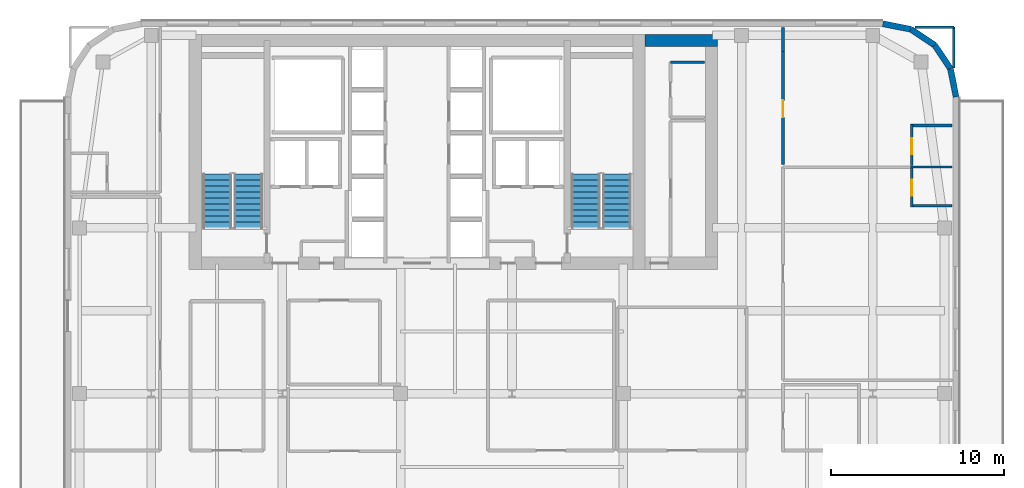
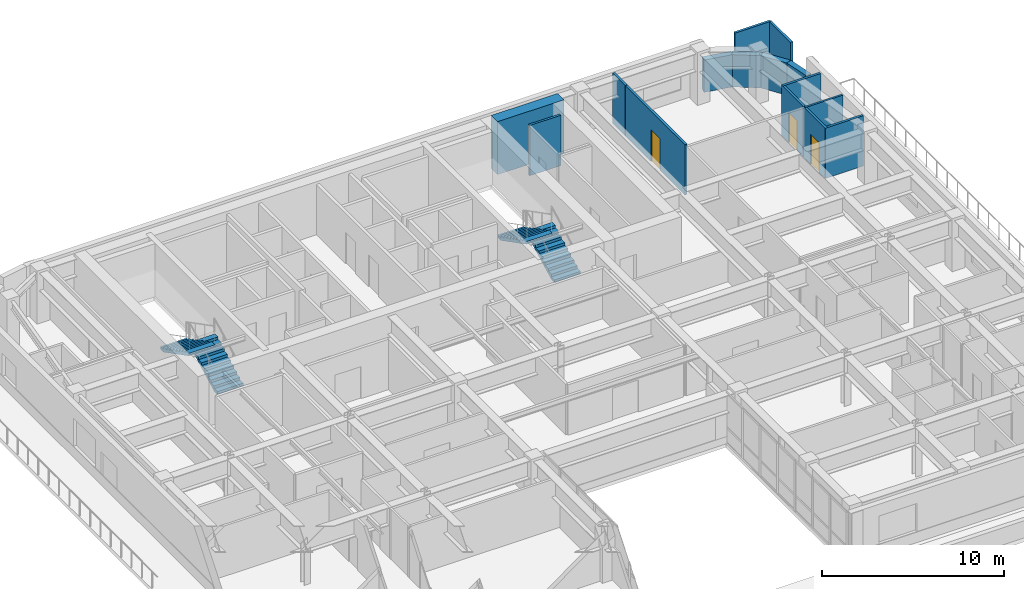
# One storey, part 15 of 20: 15 walls, 4 stair flights, 3 doors, 3 openings, 2 elements without a shape of their own.
"""IFC4 building model written with IfcOpenShell, lengths in metres."""

from ifc_helpers import new_model, si_unit, direction, frame, frame_2d, origin, place, context, subcontext, project, spatial, polyline, rectangle, outline, extrude, source, transform, mapped, material, layer, layer_set, type_object, type_shapes, element, fill, aggregate, save


model = new_model("IFC4")

# Units and contexts
model_context = context("Model", 3, precision=1e-05, world=origin(), true_north=direction((0.0, 1.0)))
body_context = subcontext(model_context, "Body", "Model", "MODEL_VIEW")
ifc_project = project(units=[si_unit("LENGTHUNIT", "METRE"), si_unit("AREAUNIT", "SQUARE_METRE"), si_unit("VOLUMEUNIT", "CUBIC_METRE"), si_unit("PLANEANGLEUNIT", "RADIAN"), si_unit("MASSUNIT", "GRAM", prefix="KILO")], contexts=[model_context])

# Site, building, storey
site_placement = place(None, origin())
site = spatial("IfcSite", under=ifc_project, at=site_placement, CompositionType="ELEMENT")
building_placement = place(site_placement, origin())
building = spatial("IfcBuilding", under=site, at=building_placement, Name="Tolvann Quenvar Hotel", CompositionType="ELEMENT")
storey_placement = place(building_placement, frame((0.0, 0.0, 147.050048828125)))
storey = spatial("IfcBuildingStorey", under=building, at=storey_placement, Name="L38", CompositionType="ELEMENT", Elevation=147.050048828125)

# Walls
ifc_material_1 = material(Name="Concrete S65 (65 MPa)", Category="concrete")
ifc_layer_1 = layer(ifc_material_1, 0.699951171875)
ifc_layer_set_1 = layer_set([ifc_layer_1], Name="Concrete S65 (65 MPa)")
wall_type_1 = type_object("IfcWallType", Name="WALL_CORE_700", PredefinedType="SHEAR", material=ifc_layer_set_1)
wall_1_placement = place(storey_placement, frame((36.199951171875, 44.85009765625, 0.0), z_axis=(0.0, 0.0, 1.0), x_axis=(1.0, 0.0, 0.0)))
element("IfcWall", 1, at=wall_1_placement, inside=storey, type_object=wall_type_1, Name="Core East Annex Shear Wall ANN-N (L38)", PredefinedType="SHEAR", context=body_context, shape_type="SweptSolid", body=[
    extrude(rectangle(XDim=4.199951171875, YDim=0.699951171875, at=frame_2d((2.10009765625, 0.0))), origin(), (0.0, 0.0, 1.0), 3.550048828125),
])
ifc_material_2 = material(Name="Kiln-fired red and buff architectural clay brickwork and terracotta masonry", Category="masonry")
ifc_layer_2 = layer(ifc_material_2, 0.35009765625)
ifc_layer_set_2 = layer_set([ifc_layer_2], Name="Kiln-fired red and buff architectural clay brickwork and terracotta masonry")
wall_type_2 = type_object("IfcWallType", Name="WALL_EXT_BRICK_350", PredefinedType="SOLIDWALL", material=ifc_layer_set_2)
wall_2_placement = place(storey_placement, frame((54.22509765625, 41.582763671875, 0.0), z_axis=(0.0, 0.0, 1.0), x_axis=(-0.195044345786, 0.980794424524, 0.0)))
element("IfcWall", 2, at=wall_2_placement, inside=storey, type_object=wall_type_2, Name="Exterior Chicago Brick Wall L38-E14", PredefinedType="SOLIDWALL", context=body_context, shape_type="SweptSolid", body=[
    extrude(rectangle(XDim=1.664794921875, YDim=0.35009765625, at=frame_2d((0.83251953125, 0.0))), origin(), (0.0, 0.0, 1.0), 2.159912109375),
])
for number, where, z_axis, x_axis, name in (
    (3, (53.900390625, 43.215576171875, 0.0), (0.0, 0.0, 1.0), (-0.555623290322, 0.831434158098, 0.0), "Exterior Chicago Brick Wall L38-E15"),
    (4, (52.985107421875, 44.585205078125, 0.0), (0.0, 0.0, 1.0), (-0.831502623162, 0.555520825599, 0.0), "Exterior Chicago Brick Wall L38-E16"),
):
    element("IfcWall", number, at=place(storey_placement, frame(where, z_axis=z_axis, x_axis=x_axis)), inside=storey, type_object=wall_type_2, Name=name, PredefinedType="SOLIDWALL", context=body_context, shape_type="SweptSolid", body=[
        extrude(rectangle(XDim=1.647216796875, YDim=0.35009765625, at=frame_2d((0.82373046875, 0.0))), origin(), (0.0, 0.0, 1.0), 2.159912109375),
    ])
wall_3_placement = place(storey_placement, frame((51.615478515625, 45.500244140625, 0.0), z_axis=(0.0, 0.0, 1.0), x_axis=(-0.980788844421, 0.195072403631, 0.0)))
element("IfcWall", 5, at=wall_3_placement, inside=storey, type_object=wall_type_2, Name="Exterior Chicago Brick Wall L38-E17", PredefinedType="SOLIDWALL", context=body_context, shape_type="SweptSolid", body=[
    extrude(rectangle(XDim=1.66455078125, YDim=0.35009765625, at=frame_2d((0.832275390625, 0.0))), origin(), (0.0, 0.0, 1.0), 2.159912109375),
])
ifc_material_3 = material(Name="Moisture-resistant acoustic plumbing wall assembly")
ifc_layer_3 = layer(ifc_material_3, 0.1201171875)
ifc_layer_set_3 = layer_set([ifc_layer_3], Name="Moisture-resistant acoustic plumbing wall assembly")
wall_type_3 = type_object("IfcWallType", Name="WALL_PART_BATH_120", PredefinedType="PLUMBINGWALL", material=ifc_layer_set_3)
wall_4_placement = place(storey_placement, frame((51.580078125, 37.52001953125, 0.0), z_axis=(0.0, 0.0, 1.0), x_axis=(1.0, 0.0, 0.0)))
element("IfcWall", 6, at=wall_4_placement, inside=storey, type_object=wall_type_3, Name="Non-Rated Plumbing Partition PT-SPC-L38-ENS-NE01-N", PredefinedType="PLUMBINGWALL", context=body_context, shape_type="SweptSolid", body=[
    extrude(rectangle(XDim=2.4150390625, YDim=0.1201171875, at=frame_2d((1.20751953125, 0.0))), origin(), (0.0, 0.0, 1.0), 3.369873046875),
])

# Wall, opening, door
ifc_material_4 = material(Name="Acoustic twin-stud fire-rated gypsum plasterboard partition")
ifc_layer_4 = layer(ifc_material_4, 0.14990234375)
ifc_layer_set_4 = layer_set([ifc_layer_4], Name="Acoustic twin-stud fire-rated gypsum plasterboard partition")
wall_type_4 = type_object("IfcWallType", Name="WALL_PART_SUITE_150", PredefinedType="PARTITIONING", material=ifc_layer_set_4)
wall_5_placement = place(storey_placement, frame((51.64990234375, 35.199951171875, 0.0), z_axis=(0.0, 0.0, 1.0), x_axis=(0.0, 1.0, 0.0)))
wall_5 = element("IfcWall", 7, at=wall_5_placement, inside=storey, type_object=wall_type_4, Name="Interior Partition PT-SPC-L38-ENS-NE01-ENT", PredefinedType="PARTITIONING", context=body_context, shape_type="SweptSolid", body=[
    extrude(rectangle(XDim=2.39013671875, YDim=0.14990234375, at=frame_2d((1.195068359375, 0.0))), origin(), (0.0, 0.0, 1.0), 3.369873046875),
])
opening_1_placement = place(wall_5_placement, frame((0.6650390625, 0.0, 0.0)))
opening_1 = element("IfcOpeningElement", 8, at=opening_1_placement, cuts=wall_5, Name="Opening WD-01", PredefinedType="OPENING", context=body_context, shape_type="SweptSolid", body=[
    extrude(rectangle(XDim=0.919921875, YDim=2.010009765625, at=frame_2d((0.4599609375, 1.0048828125))), frame((0.0, 0.0849609375, 0.0), z_axis=(0.0, -1.0, 0.0), x_axis=(1.0, 0.0, 0.0)), (0.0, 0.0, 1.0), 0.169921875),
])
ifc_material_5 = material(Name="Solid-core American oak acoustic fire door leaf in steel frame", Category="steel")
door_type_1 = type_object("IfcDoorType", Name="DOOR_WC_920", OperationType="NOTDEFINED", PredefinedType="DOOR", material=ifc_material_5)
shared_shape_1 = source(origin(), body_context, "Body", "SweptSolid", [
    extrude(rectangle(XDim=0.919921875, YDim=2.010009765625, at=frame_2d((0.4599609375, 1.0048828125))), frame((0.0, 0.02490234375, 0.0), z_axis=(0.0, -1.0, 0.0), x_axis=(1.0, 0.0, 0.0)), (0.0, 0.0, 1.0), 0.050048828125),
])
type_shapes(door_type_1, [shared_shape_1])
door_1_placement = place(opening_1_placement, origin())
door_1 = element("IfcDoor", 9, at=door_1_placement, inside=storey, type_object=door_type_1, Name="Interior Door DOOR-SPC-L38-ENS-NE01", OperationType="SINGLE_SWING_RIGHT", OverallHeight=2.010009765625, OverallWidth=0.919921875, PredefinedType="DOOR", context=body_context, shape_type="MappedRepresentation", body=[
    mapped(shared_shape_1, transform((0.0, 0.0, 0.0), x_axis=(1.0, 0.0, 0.0), y_axis=(0.0, 1.0, 0.0), z_axis=(0.0, 0.0, 1.0), scale=1.0)),
])
fill(opening_1, door_1)

# Wall
wall_6_placement = place(storey_placement, frame((51.580078125, 35.27001953125, 0.0), z_axis=(0.0, 0.0, 1.0), x_axis=(1.0, 0.0, 0.0)))
element("IfcWall", 10, at=wall_6_placement, inside=storey, type_object=wall_type_4, Name="Interior Partition PT-SPC-L38-ENS-NE01-S", PredefinedType="PARTITIONING", context=body_context, shape_type="SweptSolid", body=[
    extrude(rectangle(XDim=2.4150390625, YDim=0.14990234375, at=frame_2d((1.20751953125, 0.0))), origin(), (0.0, 0.0, 1.0), 3.369873046875),
])

# Wall, opening, door
wall_7_placement = place(storey_placement, frame((51.64990234375, 37.610107421875, 0.0), z_axis=(0.0, 0.0, 1.0), x_axis=(0.0, 1.0, 0.0)))
wall_7 = element("IfcWall", 11, at=wall_7_placement, inside=storey, type_object=wall_type_4, Name="Interior Partition PT-SPC-L38-ENS-NE02-ENT", PredefinedType="PARTITIONING", context=body_context, shape_type="SweptSolid", body=[
    extrude(rectangle(XDim=2.389892578125, YDim=0.14990234375, at=frame_2d((1.19482421875, 0.0))), origin(), (0.0, 0.0, 1.0), 3.369873046875),
])
opening_2_placement = place(wall_7_placement, frame((0.6650390625, 0.0, 0.0)))
opening_2 = element("IfcOpeningElement", 12, at=opening_2_placement, cuts=wall_7, Name="Opening WD-01", PredefinedType="OPENING", context=body_context, shape_type="SweptSolid", body=[
    extrude(rectangle(XDim=0.919921875, YDim=2.010009765625, at=frame_2d((0.4599609375, 1.0048828125))), frame((0.0, 0.0849609375, 0.0), z_axis=(0.0, -1.0, 0.0), x_axis=(1.0, 0.0, 0.0)), (0.0, 0.0, 1.0), 0.169921875),
])
door_2_placement = place(opening_2_placement, origin())
door_2 = element("IfcDoor", 13, at=door_2_placement, inside=storey, type_object=door_type_1, Name="Interior Door DOOR-SPC-L38-ENS-NE02", OperationType="SINGLE_SWING_LEFT", OverallHeight=2.010009765625, OverallWidth=0.919921875, PredefinedType="DOOR", context=body_context, shape_type="MappedRepresentation", body=[
    mapped(shared_shape_1, transform((0.0, 0.0, 0.0), x_axis=(1.0, 0.0, 0.0), y_axis=(0.0, 1.0, 0.0), z_axis=(0.0, 0.0, 1.0), scale=1.0)),
])
fill(opening_2, door_2)

# Walls
wall_8_placement = place(storey_placement, frame((51.580078125, 39.929931640625, 0.0), z_axis=(0.0, 0.0, 1.0), x_axis=(1.0, 0.0, 0.0)))
element("IfcWall", 14, at=wall_8_placement, inside=storey, type_object=wall_type_4, Name="Interior Partition PT-SPC-L38-ENS-NE02-N", PredefinedType="PARTITIONING", context=body_context, shape_type="SweptSolid", body=[
    extrude(rectangle(XDim=2.4150390625, YDim=0.14990234375, at=frame_2d((1.20751953125, 0.0))), origin(), (0.0, 0.0, 1.0), 3.369873046875),
])
wall_9_placement = place(storey_placement, frame((37.679931640625, 43.60009765625, 0.0), z_axis=(0.0, 0.0, 1.0), x_axis=(1.0, 0.0, 0.0)))
element("IfcWall", 15, at=wall_9_placement, inside=storey, type_object=wall_type_4, Name="Interior Partition PT-SPC-L38-CSE-1-N", PredefinedType="PARTITIONING", context=body_context, shape_type="SweptSolid", body=[
    extrude(rectangle(XDim=1.965087890625, YDim=0.14990234375, at=frame_2d((0.982421875, 0.0))), origin(), (0.0, 0.0, 1.0), 3.369873046875),
])

# Wall, opening, door
wall_10_placement = place(storey_placement, frame((44.199951171875, 37.679931640625, 0.0), z_axis=(0.0, 0.0, 1.0), x_axis=(0.0, 1.0, 0.0)))
wall_10 = element("IfcWall", 16, at=wall_10_placement, inside=storey, type_object=wall_type_4, Name="Interior Partition PT-SPC-L38-RM-NE02-ENT", PredefinedType="PARTITIONING", context=body_context, shape_type="SweptSolid", body=[
    extrude(rectangle(XDim=6.530029296875, YDim=0.14990234375, at=frame_2d((3.26513671875, 0.0))), origin(), (0.0, 0.0, 1.0), 3.369873046875),
])
opening_3_placement = place(wall_10_placement, frame((2.719970703125, 0.0, 0.0)))
opening_3 = element("IfcOpeningElement", 17, at=opening_3_placement, cuts=wall_10, Name="Opening SD-01", PredefinedType="OPENING", context=body_context, shape_type="SweptSolid", body=[
    extrude(rectangle(XDim=0.97998046875, YDim=2.1201171875, at=frame_2d((0.489990234375, 1.06005859375))), frame((0.0, 0.0849609375, 0.0), z_axis=(0.0, -1.0, 0.0), x_axis=(1.0, 0.0, 0.0)), (0.0, 0.0, 1.0), 0.169921875),
])
door_type_2 = type_object("IfcDoorType", Name="DOOR_SUITE_980", OperationType="NOTDEFINED", PredefinedType="DOOR", material=ifc_material_5)
shared_shape_2 = source(origin(), body_context, "Body", "SweptSolid", [
    extrude(rectangle(XDim=0.97998046875, YDim=2.1201171875, at=frame_2d((0.489990234375, 1.06005859375))), frame((0.0, 0.02490234375, 0.0), z_axis=(0.0, -1.0, 0.0), x_axis=(1.0, 0.0, 0.0)), (0.0, 0.0, 1.0), 0.050048828125),
])
type_shapes(door_type_2, [shared_shape_2])
door_3_placement = place(opening_3_placement, origin())
door_3 = element("IfcDoor", 18, at=door_3_placement, inside=storey, type_object=door_type_2, Name="Interior Door DOOR-SPC-L38-RM-NE02", OperationType="SINGLE_SWING_LEFT", OverallHeight=2.1201171875, OverallWidth=0.97998046875, PredefinedType="DOOR", context=body_context, shape_type="MappedRepresentation", body=[
    mapped(shared_shape_2, transform((0.0, 0.0, 0.0), x_axis=(1.0, 0.0, 0.0), y_axis=(0.0, 1.0, 0.0), z_axis=(0.0, 0.0, 1.0), scale=1.0)),
])
fill(opening_3, door_3)

# Walls
wall_11_placement = place(storey_placement, frame((54.10009765625, 43.2548828125, 0.0), z_axis=(0.0, 0.0, 1.0), x_axis=(0.0, 1.0, 0.0)))
element("IfcWall", 19, at=wall_11_placement, inside=storey, type_object=wall_type_4, Name="Interior Partition PT-SPC-L38-RM-NE02-E4", PredefinedType="PARTITIONING", context=body_context, shape_type="SweptSolid", body=[
    extrude(rectangle(XDim=2.365234375, YDim=0.14990234375, at=frame_2d((1.1826171875, 0.0))), origin(), (0.0, 0.0, 1.0), 3.369873046875),
])
wall_12_placement = place(storey_placement, frame((51.85009765625, 45.6201171875, 0.0), z_axis=(0.0, 0.0, 1.0), x_axis=(1.0, 0.0, 0.0)))
element("IfcWall", 20, at=wall_12_placement, inside=storey, type_object=wall_type_4, Name="Interior Partition PT-SPC-L38-RM-NE02-E5", PredefinedType="PARTITIONING", context=body_context, shape_type="SweptSolid", body=[
    extrude(rectangle(XDim=2.25, YDim=0.14990234375, at=frame_2d((1.125, 0.0))), origin(), (0.0, 0.0, 1.0), 3.369873046875),
])
wall_13_placement = place(storey_placement, frame((44.199951171875, 44.219970703125, 0.0), z_axis=(0.0, 0.0, 1.0), x_axis=(0.0, 1.0, 0.0)))
element("IfcWall", 21, at=wall_13_placement, inside=storey, type_object=wall_type_4, Name="Interior Partition PT-SPC-L38-RM-NE02-E6", PredefinedType="PARTITIONING", context=body_context, shape_type="SweptSolid", body=[
    extrude(rectangle(XDim=1.375, YDim=0.14990234375, at=frame_2d((0.6875, 0.0))), origin(), (0.0, 0.0, 1.0), 3.369873046875),
])

# Stair, stair flights
ifc_material_6 = material(Name="Concrete N40 (40 MPa)", Category="concrete")
stair_type = type_object("IfcStairType", Name="STAIR", PredefinedType="HALF_TURN_STAIR", material=ifc_material_6)
stair_1_placement = place(storey_placement, origin())
stair_1 = element("IfcStair", 22, at=stair_1_placement, inside=storey, type_object=stair_type, Name="L38 ST-C1", PredefinedType="HALF_TURN_STAIR")
stair_flight_type = type_object("IfcStairFlightType", Name="STAIR_FLIGHT", PredefinedType="STRAIGHT", material=ifc_material_6)
stair_flight_1_placement = place(storey_placement, frame((13.22509765625, 34.0, 0.0), z_axis=(0.0, 0.0, 1.0), x_axis=(0.0, 1.0, 0.0)))
stair_flight_1 = element("IfcStairFlight", 23, at=stair_flight_1_placement, type_object=stair_flight_type, Name="ST-C1 flight 1", NumberOfRisers=10, NumberOfTreads=9, PredefinedType="STRAIGHT", RiserHeight=0.1775, TreadLength=0.345, context=body_context, shape_type="SweptSolid", body=[
    extrude(outline(polyline([(0.0, 0.0), (0.0, 0.177490234375), (0.344970703125, 0.177490234375), (0.344970703125, 0.35498046875), (0.68994140625, 0.35498046875), (0.68994140625, 0.532470703125), (1.034912109375, 0.532470703125), (1.034912109375, 0.7099609375), (1.3798828125, 0.7099609375), (1.3798828125, 0.887451171875), (1.72509765625, 0.887451171875), (1.72509765625, 1.06494140625), (2.070068359375, 1.06494140625), (2.070068359375, 1.242431640625), (2.4150390625, 1.242431640625), (2.4150390625, 1.419921875), (2.760009765625, 1.419921875), (2.760009765625, 1.597412109375), (3.10498046875, 1.597412109375), (3.10498046875, 1.77490234375), (3.10498046875, 1.428955078125), (0.32763671875, 0.0), (0.0, 0.0)])), frame((0.0, 0.824951171875, 0.0), z_axis=(0.0, -1.0, 0.0), x_axis=(1.0, 0.0, 0.0)), (0.0, 0.0, 1.0), 1.64990234375),
])
stair_flight_2_placement = place(storey_placement, frame((11.425048828125, 37.10498046875, 1.77490234375), z_axis=(0.0, 0.0, 1.0), x_axis=(0.0, -1.0, 0.0)))
stair_flight_2 = element("IfcStairFlight", 24, at=stair_flight_2_placement, type_object=stair_flight_type, Name="ST-C1 flight 2", NumberOfRisers=10, NumberOfTreads=9, PredefinedType="STRAIGHT", RiserHeight=0.1775, TreadLength=0.345, context=body_context, shape_type="SweptSolid", body=[
    extrude(outline(polyline([(0.0, 0.0), (0.0, 0.177490234375), (0.344970703125, 0.177490234375), (0.344970703125, 0.35498046875), (0.68994140625, 0.35498046875), (0.68994140625, 0.532470703125), (1.034912109375, 0.532470703125), (1.034912109375, 0.7099609375), (1.3798828125, 0.7099609375), (1.3798828125, 0.887451171875), (1.72509765625, 0.887451171875), (1.72509765625, 1.06494140625), (2.070068359375, 1.06494140625), (2.070068359375, 1.242431640625), (2.4150390625, 1.242431640625), (2.4150390625, 1.419921875), (2.760009765625, 1.419921875), (2.760009765625, 1.597412109375), (3.10498046875, 1.597412109375), (3.10498046875, 1.77490234375), (3.10498046875, 1.428955078125), (0.32763671875, 0.0), (0.0, 0.0)])), frame((0.0, 0.824951171875, 0.0), z_axis=(0.0, -1.0, 0.0), x_axis=(1.0, 0.0, 0.0)), (0.0, 0.0, 1.0), 1.64990234375),
])
aggregate(stair_1, [stair_flight_1, stair_flight_2])

stair_2_placement = place(storey_placement, origin())
stair_2 = element("IfcStair", 25, at=stair_2_placement, inside=storey, type_object=stair_type, Name="L38 ST-C2", PredefinedType="HALF_TURN_STAIR")
stair_flight_3_placement = place(storey_placement, frame((34.574951171875, 34.0, 0.0), z_axis=(0.0, 0.0, 1.0), x_axis=(0.0, 1.0, 0.0)))
stair_flight_3 = element("IfcStairFlight", 26, at=stair_flight_3_placement, type_object=stair_flight_type, Name="ST-C2 flight 1", NumberOfRisers=10, NumberOfTreads=9, PredefinedType="STRAIGHT", RiserHeight=0.1775, TreadLength=0.345, context=body_context, shape_type="SweptSolid", body=[
    extrude(outline(polyline([(0.0, 0.0), (0.0, 0.177490234375), (0.344970703125, 0.177490234375), (0.344970703125, 0.35498046875), (0.68994140625, 0.35498046875), (0.68994140625, 0.532470703125), (1.034912109375, 0.532470703125), (1.034912109375, 0.7099609375), (1.3798828125, 0.7099609375), (1.3798828125, 0.887451171875), (1.72509765625, 0.887451171875), (1.72509765625, 1.06494140625), (2.070068359375, 1.06494140625), (2.070068359375, 1.242431640625), (2.4150390625, 1.242431640625), (2.4150390625, 1.419921875), (2.760009765625, 1.419921875), (2.760009765625, 1.597412109375), (3.10498046875, 1.597412109375), (3.10498046875, 1.77490234375), (3.10498046875, 1.428955078125), (0.32763671875, 0.0), (0.0, 0.0)])), frame((0.0, 0.824951171875, 0.0), z_axis=(0.0, -1.0, 0.0), x_axis=(1.0, 0.0, 0.0)), (0.0, 0.0, 1.0), 1.64990234375),
])
stair_flight_4_placement = place(storey_placement, frame((32.77490234375, 37.10498046875, 1.77490234375), z_axis=(0.0, 0.0, 1.0), x_axis=(0.0, -1.0, 0.0)))
stair_flight_4 = element("IfcStairFlight", 27, at=stair_flight_4_placement, type_object=stair_flight_type, Name="ST-C2 flight 2", NumberOfRisers=10, NumberOfTreads=9, PredefinedType="STRAIGHT", RiserHeight=0.1775, TreadLength=0.345, context=body_context, shape_type="SweptSolid", body=[
    extrude(outline(polyline([(0.0, 0.0), (0.0, 0.177490234375), (0.344970703125, 0.177490234375), (0.344970703125, 0.35498046875), (0.68994140625, 0.35498046875), (0.68994140625, 0.532470703125), (1.034912109375, 0.532470703125), (1.034912109375, 0.7099609375), (1.3798828125, 0.7099609375), (1.3798828125, 0.887451171875), (1.72509765625, 0.887451171875), (1.72509765625, 1.06494140625), (2.070068359375, 1.06494140625), (2.070068359375, 1.242431640625), (2.4150390625, 1.242431640625), (2.4150390625, 1.419921875), (2.760009765625, 1.419921875), (2.760009765625, 1.597412109375), (3.10498046875, 1.597412109375), (3.10498046875, 1.77490234375), (3.10498046875, 1.428955078125), (0.32763671875, 0.0), (0.0, 0.0)])), frame((0.0, 0.824951171875, 0.0), z_axis=(0.0, -1.0, 0.0), x_axis=(1.0, 0.0, 0.0)), (0.0, 0.0, 1.0), 1.64990234375),
])
aggregate(stair_2, [stair_flight_3, stair_flight_4])

save(model, "model.ifc")
